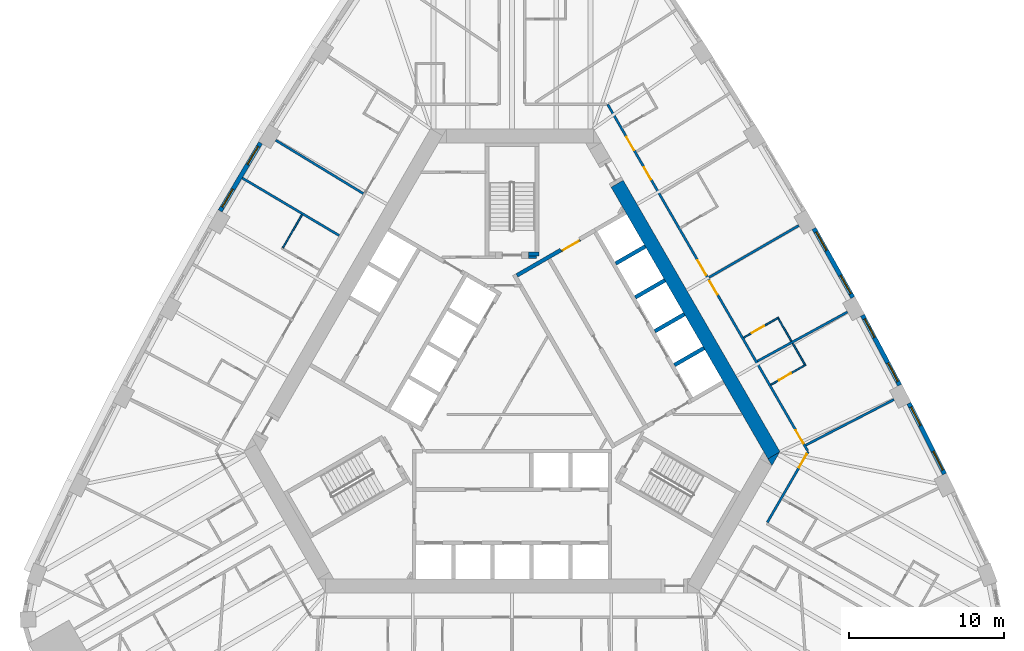
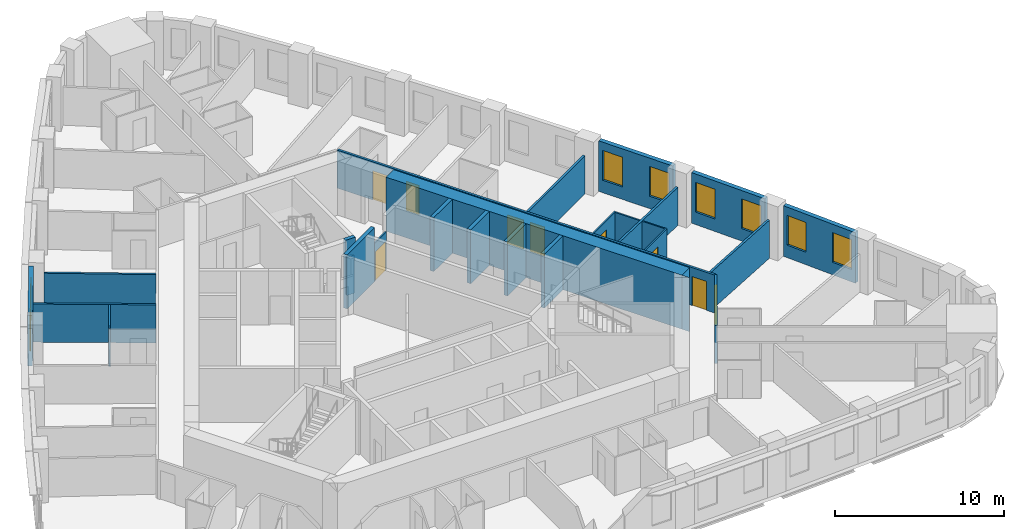
# One storey, part 9 of 13: 26 walls, 9 doors, 8 windows, 17 openings.
"""IFC4 building model written with IfcOpenShell, lengths in metres."""

from ifc_helpers import new_model, si_unit, direction, frame, frame_2d, origin, place, context, subcontext, project, spatial, polyline, rectangle, outline, extrude, material, layer, layer_set, type_object, element, fill, save


model = new_model("IFC4")

# Units and contexts
model_context = context("Model", 3, precision=1e-05, world=origin(), true_north=direction((0.0, 1.0)))
body_context = subcontext(model_context, "Body", "Model", "MODEL_VIEW")
ifc_project = project(units=[si_unit("LENGTHUNIT", "METRE"), si_unit("AREAUNIT", "SQUARE_METRE"), si_unit("VOLUMEUNIT", "CUBIC_METRE"), si_unit("PLANEANGLEUNIT", "RADIAN"), si_unit("MASSUNIT", "GRAM", prefix="KILO")], contexts=[model_context])

# Site, building, storey
site_placement = place(None, origin())
site = spatial("IfcSite", under=ifc_project, at=site_placement, CompositionType="ELEMENT")
building_placement = place(site_placement, origin())
building = spatial("IfcBuilding", under=site, at=building_placement, Name="Mestral Congress Tower", CompositionType="ELEMENT")
storey_placement = place(building_placement, frame((0.0, 0.0, 99.300048828125)))
storey = spatial("IfcBuildingStorey", under=building, at=storey_placement, Name="L23", CompositionType="ELEMENT", Elevation=99.300048828125)

# Wall
ifc_material_1 = material(Name="Fire-rated board partition")
ifc_layer_1 = layer(ifc_material_1, 0.14990234375)
ifc_layer_set_1 = layer_set([ifc_layer_1], Name="Fire-rated board partition")
wall_type_1 = type_object("IfcWallType", Name="Core partition 150", PredefinedType="PARTITIONING", material=ifc_layer_set_1)
wall_1_placement = place(storey_placement, frame((1.050048828125, 8.62548828125, 0.0), z_axis=(0.0, 0.0, 1.0), x_axis=(1.0, 0.0, 0.0)))
element("IfcWall", 1, at=wall_1_placement, inside=storey, type_object=wall_type_1, Name="L23 core wall", PredefinedType="PARTITIONING", context=body_context, shape_type="SweptSolid", body=[
    extrude(rectangle(XDim=0.513916015625, YDim=0.14990234375, at=frame_2d((0.2568359375, 0.0))), origin(), (0.0, 0.0, 1.0), 2.75),
])

# Wall, opening, door
ifc_layer_2 = layer(ifc_material_1, 0.090087890625)
ifc_layer_set_2 = layer_set([ifc_layer_2], Name="Fire-rated board partition")
wall_type_2 = type_object("IfcWallType", Name="Core partition 150 door-wall 90", PredefinedType="PARTITIONING", material=ifc_layer_set_2)
wall_2_placement = place(storey_placement, frame((3.182861328125, 9.02001953125, 0.0), z_axis=(0.0, 0.0, 1.0), x_axis=(0.866034573852, 0.49998411664, 0.0)))
wall_2 = element("IfcWall", 2, at=wall_2_placement, inside=storey, type_object=wall_type_2, Name="L23 door wall", PredefinedType="PARTITIONING", context=body_context, shape_type="SweptSolid", body=[
    extrude(rectangle(XDim=1.39990234375, YDim=0.090087890625, at=frame_2d((0.699951171875, 0.0))), origin(), (0.0, 0.0, 1.0), 2.75),
])
opening_1_placement = place(wall_2_placement, frame((0.10009765625, 0.0, 0.0)))
opening_1 = element("IfcOpeningElement", 3, at=opening_1_placement, cuts=wall_2, Name="Opening LB1-WL2", PredefinedType="OPENING", context=body_context, shape_type="SweptSolid", body=[
    extrude(rectangle(XDim=1.199951171875, YDim=2.10009765625, at=frame_2d((0.60009765625, 1.050048828125))), frame((0.0, 0.054931640625, 0.0), z_axis=(0.0, -1.0, 0.0), x_axis=(1.0, 0.0, 0.0)), (0.0, 0.0, 1.0), 0.110107421875),
])
ifc_material_2 = material(Name="Fire-rated steel door set", Category="steel")
door_type_1 = type_object("IfcDoorType", Name="Core door LB 1200x2100", OperationType="SINGLE_SWING_LEFT", PredefinedType="DOOR", material=ifc_material_2)
door_1_placement = place(opening_1_placement, origin())
door_1 = element("IfcDoor", 4, at=door_1_placement, inside=storey, type_object=door_type_1, Name="Door LB1-WL2", OperationType="SINGLE_SWING_LEFT", OverallHeight=2.10009765625, OverallWidth=1.199951171875, PredefinedType="DOOR", context=body_context, shape_type="SweptSolid", body=[
    extrude(rectangle(XDim=1.199951171875, YDim=2.10009765625, at=frame_2d((0.60009765625, 1.050048828125))), frame((0.0, 0.02490234375, 0.0), z_axis=(0.0, -1.0, 0.0), x_axis=(1.0, 0.0, 0.0)), (0.0, 0.0, 1.0), 0.050048828125),
])
fill(opening_1, door_1)

# Walls
ifc_material_3 = material(Name="Concrete C60/75", Category="concrete")
ifc_layer_3 = layer(ifc_material_3, 0.89990234375)
ifc_layer_set_3 = layer_set([ifc_layer_3], Name="Concrete C60/75")
wall_type_3 = type_object("IfcWallType", Name="Core wall RC 900", PredefinedType="SOLIDWALL", material=ifc_layer_set_3)
wall_3_placement = place(storey_placement, frame((6.77587890625, 13.36376953125, 0.0), z_axis=(0.0, 0.0, 1.0), x_axis=(0.500004177138, -0.8660229921, 0.0)))
element("IfcWall", 5, at=wall_3_placement, inside=storey, type_object=wall_type_3, Name="L23 core wall", PredefinedType="SOLIDWALL", context=body_context, shape_type="SweptSolid", body=[
    extrude(rectangle(XDim=20.203857421875, YDim=0.89990234375, at=frame_2d((10.10205078125, 0.0))), origin(), (0.0, 0.0, 1.0), 3.89990234375),
])
wall_4_placement = place(storey_placement, origin())
element("IfcWall", 6, at=wall_4_placement, inside=storey, type_object=wall_type_3, Name="L23 core wall", PredefinedType="SOLIDWALL", context=body_context, shape_type="SweptSolid", body=[
    extrude(outline(polyline([(16.7431640625, -4.800048828125), (16.4892578125, -4.360107421875), (17.251220703125, -3.920166015625), (16.7431640625, -4.800048828125)])), origin(), (0.0, 0.0, 1.0), 3.89990234375),
])

# Wall, openings, windows
ifc_material_4 = material(Name="Precast concrete C40/50 with limestone facing", Category="masonry")
ifc_layer_4 = layer(ifc_material_4, 0.2900390625)
ifc_layer_set_4 = layer_set([ifc_layer_4], Name="Precast concrete C40/50 with limestone facing")
wall_type_4 = type_object("IfcWallType", Name="Facade stone wall 290", PredefinedType="SOLIDWALL", material=ifc_layer_set_4)
wall_5_placement = place(storey_placement, frame((27.864013671875, -5.336181640625, 0.0), z_axis=(0.0, 0.0, 1.0), x_axis=(-0.448534297211, 0.893765620409, 0.0)))
wall_5 = element("IfcWall", 7, at=wall_5_placement, inside=storey, type_object=wall_type_4, Name="Facade wall F1-01", PredefinedType="SOLIDWALL", context=body_context, shape_type="SweptSolid", body=[
    extrude(rectangle(XDim=5.10009765625, YDim=0.2900390625, at=frame_2d((2.550048828125, 0.0))), origin(), (0.0, 0.0, 1.0), 3.64990234375),
])
opening_2_placement = place(wall_5_placement, frame((0.2724609375, 0.0, 0.89990234375)))
opening_2 = element("IfcOpeningElement", 8, at=opening_2_placement, cuts=wall_5, Name="Opening W2", PredefinedType="OPENING", context=body_context, shape_type="SweptSolid", body=[
    extrude(rectangle(XDim=1.35009765625, YDim=2.14990234375, at=frame_2d((0.675048828125, 1.074951171875))), frame((0.0, 0.155029296875, 0.0), z_axis=(0.0, -1.0, 0.0), x_axis=(1.0, 0.0, 0.0)), (0.0, 0.0, 1.0), 0.31005859375),
])
opening_3_placement = place(wall_5_placement, frame((3.477783203125, 0.0, 0.89990234375)))
opening_3 = element("IfcOpeningElement", 9, at=opening_3_placement, cuts=wall_5, Name="Opening W2", PredefinedType="OPENING", context=body_context, shape_type="SweptSolid", body=[
    extrude(rectangle(XDim=1.35009765625, YDim=2.14990234375, at=frame_2d((0.675048828125, 1.074951171875))), frame((0.0, 0.155029296875, 0.0), z_axis=(0.0, -1.0, 0.0), x_axis=(1.0, 0.0, 0.0)), (0.0, 0.0, 1.0), 0.31005859375),
])
ifc_material_5 = material(Name="Clear low-emissivity double glazing", Category="glass")
window_type = type_object("IfcWindowType", Name="Facade punched window 1350 x 2150 sill 900", PartitioningType="DOUBLE_PANEL_VERTICAL", PredefinedType="WINDOW", material=ifc_material_5)
window_1_placement = place(opening_2_placement, origin())
window_1 = element("IfcWindow", 10, at=window_1_placement, inside=storey, type_object=window_type, Name="Window F1-01a", OverallHeight=2.14990234375, OverallWidth=1.35009765625, PartitioningType="DOUBLE_PANEL_VERTICAL", PredefinedType="WINDOW", context=body_context, shape_type="SweptSolid", body=[
    extrude(rectangle(XDim=1.35009765625, YDim=2.14990234375, at=frame_2d((0.675048828125, 1.074951171875))), frame((0.0, 0.01513671875, 0.0), z_axis=(0.0, -1.0, 0.0), x_axis=(1.0, 0.0, 0.0)), (0.0, 0.0, 1.0), 0.06005859375),
])
fill(opening_2, window_1)
window_2_placement = place(opening_3_placement, origin())
window_2 = element("IfcWindow", 11, at=window_2_placement, inside=storey, type_object=window_type, Name="Window F1-01b", OverallHeight=2.14990234375, OverallWidth=1.35009765625, PartitioningType="DOUBLE_PANEL_VERTICAL", PredefinedType="WINDOW", context=body_context, shape_type="SweptSolid", body=[
    extrude(rectangle(XDim=1.35009765625, YDim=2.14990234375, at=frame_2d((0.675048828125, 1.074951171875))), frame((0.0, 0.01513671875, 0.0), z_axis=(0.0, -1.0, 0.0), x_axis=(1.0, 0.0, 0.0)), (0.0, 0.0, 1.0), 0.06005859375),
])
fill(opening_3, window_2)

wall_6_placement = place(storey_placement, frame((24.976806640625, 0.3828125, 0.0), z_axis=(0.0, 0.0, 1.0), x_axis=(-0.469323203119, 0.883026461106, 0.0)))
wall_6 = element("IfcWall", 12, at=wall_6_placement, inside=storey, type_object=wall_type_4, Name="Facade wall F1-02", PredefinedType="SOLIDWALL", context=body_context, shape_type="SweptSolid", body=[
    extrude(rectangle(XDim=5.1005859375, YDim=0.2900390625, at=frame_2d((2.55029296875, 0.0))), origin(), (0.0, 0.0, 1.0), 3.64990234375),
])
opening_4_placement = place(wall_6_placement, frame((0.272705078125, 0.0, 0.89990234375)))
opening_4 = element("IfcOpeningElement", 13, at=opening_4_placement, cuts=wall_6, Name="Opening W2", PredefinedType="OPENING", context=body_context, shape_type="SweptSolid", body=[
    extrude(rectangle(XDim=1.35009765625, YDim=2.14990234375, at=frame_2d((0.675048828125, 1.074951171875))), frame((0.0, 0.155029296875, 0.0), z_axis=(0.0, -1.0, 0.0), x_axis=(1.0, 0.0, 0.0)), (0.0, 0.0, 1.0), 0.31005859375),
])
opening_5_placement = place(wall_6_placement, frame((3.477783203125, 0.0, 0.89990234375)))
opening_5 = element("IfcOpeningElement", 14, at=opening_5_placement, cuts=wall_6, Name="Opening W2", PredefinedType="OPENING", context=body_context, shape_type="SweptSolid", body=[
    extrude(rectangle(XDim=1.35009765625, YDim=2.14990234375, at=frame_2d((0.675048828125, 1.074951171875))), frame((0.0, 0.155029296875, 0.0), z_axis=(0.0, -1.0, 0.0), x_axis=(1.0, 0.0, 0.0)), (0.0, 0.0, 1.0), 0.31005859375),
])
window_3_placement = place(opening_4_placement, origin())
window_3 = element("IfcWindow", 15, at=window_3_placement, inside=storey, type_object=window_type, Name="Window F1-02a", OverallHeight=2.14990234375, OverallWidth=1.35009765625, PartitioningType="DOUBLE_PANEL_VERTICAL", PredefinedType="WINDOW", context=body_context, shape_type="SweptSolid", body=[
    extrude(rectangle(XDim=1.35009765625, YDim=2.14990234375, at=frame_2d((0.675048828125, 1.074951171875))), frame((0.0, 0.01513671875, 0.0), z_axis=(0.0, -1.0, 0.0), x_axis=(1.0, 0.0, 0.0)), (0.0, 0.0, 1.0), 0.06005859375),
])
fill(opening_4, window_3)
window_4_placement = place(opening_5_placement, origin())
window_4 = element("IfcWindow", 16, at=window_4_placement, inside=storey, type_object=window_type, Name="Window F1-02b", OverallHeight=2.14990234375, OverallWidth=1.35009765625, PartitioningType="DOUBLE_PANEL_VERTICAL", PredefinedType="WINDOW", context=body_context, shape_type="SweptSolid", body=[
    extrude(rectangle(XDim=1.35009765625, YDim=2.14990234375, at=frame_2d((0.675048828125, 1.074951171875))), frame((0.0, 0.01513671875, 0.0), z_axis=(0.0, -1.0, 0.0), x_axis=(1.0, 0.0, 0.0)), (0.0, 0.0, 1.0), 0.06005859375),
])
fill(opening_5, window_4)

wall_7_placement = place(storey_placement, frame((21.956298828125, 6.033203125, 0.0), z_axis=(0.0, 0.0, 1.0), x_axis=(-0.48983164787, 0.87181704316, 0.0)))
wall_7 = element("IfcWall", 17, at=wall_7_placement, inside=storey, type_object=wall_type_4, Name="Facade wall F1-03", PredefinedType="SOLIDWALL", context=body_context, shape_type="SweptSolid", body=[
    extrude(rectangle(XDim=5.100341796875, YDim=0.2900390625, at=frame_2d((2.55029296875, 0.0))), origin(), (0.0, 0.0, 1.0), 3.64990234375),
])
opening_6_placement = place(wall_7_placement, frame((0.272705078125, 0.0, 0.89990234375)))
opening_6 = element("IfcOpeningElement", 18, at=opening_6_placement, cuts=wall_7, Name="Opening W2", PredefinedType="OPENING", context=body_context, shape_type="SweptSolid", body=[
    extrude(rectangle(XDim=1.35009765625, YDim=2.14990234375, at=frame_2d((0.675048828125, 1.074951171875))), frame((0.0, 0.155029296875, 0.0), z_axis=(0.0, -1.0, 0.0), x_axis=(1.0, 0.0, 0.0)), (0.0, 0.0, 1.0), 0.31005859375),
])
opening_7_placement = place(wall_7_placement, frame((3.477783203125, 0.0, 0.89990234375)))
opening_7 = element("IfcOpeningElement", 19, at=opening_7_placement, cuts=wall_7, Name="Opening W2", PredefinedType="OPENING", context=body_context, shape_type="SweptSolid", body=[
    extrude(rectangle(XDim=1.35009765625, YDim=2.14990234375, at=frame_2d((0.675048828125, 1.074951171875))), frame((0.0, 0.155029296875, 0.0), z_axis=(0.0, -1.0, 0.0), x_axis=(1.0, 0.0, 0.0)), (0.0, 0.0, 1.0), 0.31005859375),
])
window_5_placement = place(opening_6_placement, origin())
window_5 = element("IfcWindow", 20, at=window_5_placement, inside=storey, type_object=window_type, Name="Window F1-03a", OverallHeight=2.14990234375, OverallWidth=1.35009765625, PartitioningType="DOUBLE_PANEL_VERTICAL", PredefinedType="WINDOW", context=body_context, shape_type="SweptSolid", body=[
    extrude(rectangle(XDim=1.35009765625, YDim=2.14990234375, at=frame_2d((0.675048828125, 1.074951171875))), frame((0.0, 0.01513671875, 0.0), z_axis=(0.0, -1.0, 0.0), x_axis=(1.0, 0.0, 0.0)), (0.0, 0.0, 1.0), 0.06005859375),
])
fill(opening_6, window_5)
window_6_placement = place(opening_7_placement, origin())
window_6 = element("IfcWindow", 21, at=window_6_placement, inside=storey, type_object=window_type, Name="Window F1-03b", OverallHeight=2.14990234375, OverallWidth=1.35009765625, PartitioningType="DOUBLE_PANEL_VERTICAL", PredefinedType="WINDOW", context=body_context, shape_type="SweptSolid", body=[
    extrude(rectangle(XDim=1.35009765625, YDim=2.14990234375, at=frame_2d((0.675048828125, 1.074951171875))), frame((0.0, 0.01513671875, 0.0), z_axis=(0.0, -1.0, 0.0), x_axis=(1.0, 0.0, 0.0)), (0.0, 0.0, 1.0), 0.06005859375),
])
fill(opening_7, window_6)

wall_8_placement = place(storey_placement, frame((-16.203125, 15.998291015625, 0.0), z_axis=(0.0, 0.0, 1.0), x_axis=(-0.510054281659, -0.860142214847, 0.0)))
wall_8 = element("IfcWall", 22, at=wall_8_placement, inside=storey, type_object=wall_type_4, Name="Facade wall F2-03", PredefinedType="SOLIDWALL", context=body_context, shape_type="SweptSolid", body=[
    extrude(rectangle(XDim=5.1005859375, YDim=0.2900390625, at=frame_2d((2.55029296875, 0.0))), origin(), (0.0, 0.0, 1.0), 3.64990234375),
])
opening_8_placement = place(wall_8_placement, frame((0.272705078125, 0.0, 0.89990234375)))
opening_8 = element("IfcOpeningElement", 23, at=opening_8_placement, cuts=wall_8, Name="Opening W2", PredefinedType="OPENING", context=body_context, shape_type="SweptSolid", body=[
    extrude(rectangle(XDim=1.35009765625, YDim=2.14990234375, at=frame_2d((0.675048828125, 1.074951171875))), frame((0.0, 0.155029296875, 0.0), z_axis=(0.0, -1.0, 0.0), x_axis=(1.0, 0.0, 0.0)), (0.0, 0.0, 1.0), 0.31005859375),
])
opening_9_placement = place(wall_8_placement, frame((3.477783203125, 0.0, 0.89990234375)))
opening_9 = element("IfcOpeningElement", 24, at=opening_9_placement, cuts=wall_8, Name="Opening W2", PredefinedType="OPENING", context=body_context, shape_type="SweptSolid", body=[
    extrude(rectangle(XDim=1.35009765625, YDim=2.14990234375, at=frame_2d((0.675048828125, 1.074951171875))), frame((0.0, 0.155029296875, 0.0), z_axis=(0.0, -1.0, 0.0), x_axis=(1.0, 0.0, 0.0)), (0.0, 0.0, 1.0), 0.31005859375),
])
window_7_placement = place(opening_8_placement, origin())
window_7 = element("IfcWindow", 25, at=window_7_placement, inside=storey, type_object=window_type, Name="Window F2-03a", OverallHeight=2.14990234375, OverallWidth=1.35009765625, PartitioningType="DOUBLE_PANEL_VERTICAL", PredefinedType="WINDOW", context=body_context, shape_type="SweptSolid", body=[
    extrude(rectangle(XDim=1.35009765625, YDim=2.14990234375, at=frame_2d((0.675048828125, 1.074951171875))), frame((0.0, 0.01513671875, 0.0), z_axis=(0.0, -1.0, 0.0), x_axis=(1.0, 0.0, 0.0)), (0.0, 0.0, 1.0), 0.06005859375),
])
fill(opening_8, window_7)
window_8_placement = place(opening_9_placement, origin())
window_8 = element("IfcWindow", 26, at=window_8_placement, inside=storey, type_object=window_type, Name="Window F2-03b", OverallHeight=2.14990234375, OverallWidth=1.35009765625, PartitioningType="DOUBLE_PANEL_VERTICAL", PredefinedType="WINDOW", context=body_context, shape_type="SweptSolid", body=[
    extrude(rectangle(XDim=1.35009765625, YDim=2.14990234375, at=frame_2d((0.675048828125, 1.074951171875))), frame((0.0, 0.01513671875, 0.0), z_axis=(0.0, -1.0, 0.0), x_axis=(1.0, 0.0, 0.0)), (0.0, 0.0, 1.0), 0.06005859375),
])
fill(opening_9, window_8)

# Wall, opening, door
ifc_material_6 = material(Name="Gypsum board partition on metal studs with mineral wool", Category="composite")
ifc_layer_5 = layer(ifc_material_6, 0.10009765625)
ifc_layer_set_5 = layer_set([ifc_layer_5], Name="Gypsum board partition on metal studs with mineral wool")
wall_type_5 = type_object("IfcWallType", Name="Hotel partition wall 100", PredefinedType="PARTITIONING", material=ifc_layer_set_5)
wall_9_placement = place(storey_placement, frame((16.681396484375, 0.406982421875, 0.0), z_axis=(0.0, 0.0, 1.0), x_axis=(0.866021400173, 0.500006934395, 0.0)))
wall_9 = element("IfcWall", 27, at=wall_9_placement, inside=storey, type_object=wall_type_5, Name="L23-h-pod11a", PredefinedType="PARTITIONING", context=body_context, shape_type="SweptSolid", body=[
    extrude(rectangle(XDim=2.60009765625, YDim=0.10009765625, at=frame_2d((1.300048828125, 0.0))), origin(), (0.0, 0.0, 1.0), 2.75),
])
opening_10_placement = place(wall_9_placement, frame((0.60009765625, 0.0, 0.0)))
opening_10 = element("IfcOpeningElement", 28, at=opening_10_placement, cuts=wall_9, Name="Opening H07-022", PredefinedType="OPENING", context=body_context, shape_type="SweptSolid", body=[
    extrude(rectangle(XDim=0.89990234375, YDim=2.10009765625, at=frame_2d((0.449951171875, 1.050048828125))), frame((0.0, 0.06005859375, 0.0), z_axis=(0.0, -1.0, 0.0), x_axis=(1.0, 0.0, 0.0)), (0.0, 0.0, 1.0), 0.1201171875),
])
ifc_material_7 = material(Name="Timber veneer door leaf in timber frame", Category="wood")
door_type_2 = type_object("IfcDoorType", Name="Bathroom door 900", OperationType="SINGLE_SWING_LEFT", PredefinedType="DOOR", material=ifc_material_7)
door_2_placement = place(opening_10_placement, origin())
door_2 = element("IfcDoor", 29, at=door_2_placement, inside=storey, type_object=door_type_2, Name="L23-h-d022", OperationType="SINGLE_SWING_LEFT", OverallHeight=2.10009765625, OverallWidth=0.89990234375, PredefinedType="DOOR", context=body_context, shape_type="SweptSolid", body=[
    extrude(rectangle(XDim=0.89990234375, YDim=2.10009765625, at=frame_2d((0.449951171875, 1.050048828125))), frame((0.0, 0.02490234375, 0.0), z_axis=(0.0, -1.0, 0.0), x_axis=(1.0, 0.0, 0.0)), (0.0, 0.0, 1.0), 0.050048828125),
])
fill(opening_10, door_2)

# Wall
wall_10_placement = place(storey_placement, frame((18.85986328125, 1.73388671875, 0.0), z_axis=(0.0, 0.0, 1.0), x_axis=(-0.500017819788, 0.86601511528, 0.0)))
element("IfcWall", 30, at=wall_10_placement, inside=storey, type_object=wall_type_5, Name="L23-h-pod11b", PredefinedType="PARTITIONING", context=body_context, shape_type="SweptSolid", body=[
    extrude(rectangle(XDim=1.55029296875, YDim=0.10009765625, at=frame_2d((0.775146484375, 0.0))), origin(), (0.0, 0.0, 1.0), 2.75),
])

# Wall, opening, door
wall_11_placement = place(storey_placement, frame((17.17919921875, 4.7451171875, 0.0), z_axis=(0.0, 0.0, 1.0), x_axis=(-0.866021400173, -0.500006934395, 0.0)))
wall_11 = element("IfcWall", 31, at=wall_11_placement, inside=storey, type_object=wall_type_5, Name="L23-h-pod12a", PredefinedType="PARTITIONING", context=body_context, shape_type="SweptSolid", body=[
    extrude(rectangle(XDim=2.60009765625, YDim=0.10009765625, at=frame_2d((1.300048828125, 0.0))), origin(), (0.0, 0.0, 1.0), 2.75),
])
opening_11_placement = place(wall_11_placement, frame((1.10009765625, 0.0, 0.0)))
opening_11 = element("IfcOpeningElement", 32, at=opening_11_placement, cuts=wall_11, Name="Opening H07-024", PredefinedType="OPENING", context=body_context, shape_type="SweptSolid", body=[
    extrude(rectangle(XDim=0.89990234375, YDim=2.10009765625, at=frame_2d((0.449951171875, 1.050048828125))), frame((0.0, 0.06005859375, 0.0), z_axis=(0.0, -1.0, 0.0), x_axis=(1.0, 0.0, 0.0)), (0.0, 0.0, 1.0), 0.1201171875),
])
door_3_placement = place(opening_11_placement, origin())
door_3 = element("IfcDoor", 33, at=door_3_placement, inside=storey, type_object=door_type_2, Name="L23-h-d024", OperationType="SINGLE_SWING_RIGHT", OverallHeight=2.10009765625, OverallWidth=0.89990234375, PredefinedType="DOOR", context=body_context, shape_type="SweptSolid", body=[
    extrude(rectangle(XDim=0.89990234375, YDim=2.10009765625, at=frame_2d((0.449951171875, 1.050048828125))), frame((0.0, 0.02490234375, 0.0), z_axis=(0.0, -1.0, 0.0), x_axis=(1.0, 0.0, 0.0)), (0.0, 0.0, 1.0), 0.050048828125),
])
fill(opening_11, door_3)

# Walls
wall_12_placement = place(storey_placement, frame((17.160888671875, 4.6767578125, 0.0), z_axis=(0.0, 0.0, 1.0), x_axis=(0.499890179513, -0.866088799389, 0.0)))
element("IfcWall", 34, at=wall_12_placement, inside=storey, type_object=wall_type_5, Name="L23-h-pod12b", PredefinedType="PARTITIONING", context=body_context, shape_type="SweptSolid", body=[
    extrude(rectangle(XDim=1.68017578125, YDim=0.10009765625, at=frame_2d((0.840087890625, 0.0))), origin(), (0.0, 0.0, 1.0), 2.75),
])
wall_13_placement = place(storey_placement, frame((-14.761962890625, 9.2314453125, 0.0), z_axis=(0.0, 0.0, 1.0), x_axis=(0.500003092839, 0.866023618125, 0.0)))
element("IfcWall", 35, at=wall_13_placement, inside=storey, type_object=wall_type_5, Name="L23-h-pod22b", PredefinedType="PARTITIONING", context=body_context, shape_type="SweptSolid", body=[
    extrude(rectangle(XDim=2.4599609375, YDim=0.10009765625, at=frame_2d((1.22998046875, 0.0))), origin(), (0.0, 0.0, 1.0), 2.75),
])

# Wall, opening, door
ifc_layer_6 = layer(ifc_material_6, 0.14990234375)
ifc_layer_set_6 = layer_set([ifc_layer_6], Name="Gypsum board partition on metal studs with mineral wool")
wall_type_6 = type_object("IfcWallType", Name="Hotel partition wall 150", PredefinedType="PARTITIONING", material=ifc_layer_set_6)
wall_14_placement = place(storey_placement, frame((19.081298828125, -3.89990234375, 0.0), z_axis=(0.0, 0.0, 1.0), x_axis=(-0.499974327079, -0.866040225545, 0.0)))
wall_14 = element("IfcWall", 36, at=wall_14_placement, inside=storey, type_object=wall_type_6, Name="L23-h-cw02", PredefinedType="PARTITIONING", context=body_context, shape_type="SweptSolid", body=[
    extrude(rectangle(XDim=5.258056640625, YDim=0.14990234375, at=frame_2d((2.62890625, 0.0))), origin(), (0.0, 0.0, 1.0), 2.75),
])
opening_12_placement = place(wall_14_placement, frame((0.179931640625, 0.0, 0.0)))
opening_12 = element("IfcOpeningElement", 37, at=opening_12_placement, cuts=wall_14, Name="Opening H07-019", PredefinedType="OPENING", context=body_context, shape_type="SweptSolid", body=[
    extrude(rectangle(XDim=1.0, YDim=2.10009765625, at=frame_2d((0.5, 1.050048828125))), frame((0.0, 0.0849609375, 0.0), z_axis=(0.0, -1.0, 0.0), x_axis=(1.0, 0.0, 0.0)), (0.0, 0.0, 1.0), 0.169921875),
])
ifc_material_8 = material(Name="Timber veneer door leaf in metal frame", Category="wood")
door_type_3 = type_object("IfcDoorType", Name="Guest room entrance door 1000", OperationType="SINGLE_SWING_LEFT", PredefinedType="DOOR", material=ifc_material_8)
door_4_placement = place(opening_12_placement, origin())
door_4 = element("IfcDoor", 38, at=door_4_placement, inside=storey, type_object=door_type_3, Name="L23-h-d019", OperationType="SINGLE_SWING_LEFT", OverallHeight=2.10009765625, OverallWidth=1.0, PredefinedType="DOOR", context=body_context, shape_type="SweptSolid", body=[
    extrude(rectangle(XDim=1.0, YDim=2.10009765625, at=frame_2d((0.5, 1.050048828125))), frame((0.0, 0.02490234375, 0.0), z_axis=(0.0, -1.0, 0.0), x_axis=(1.0, 0.0, 0.0)), (0.0, 0.0, 1.0), 0.050048828125),
])
fill(opening_12, door_4)

# Wall, openings, doors
wall_15_placement = place(storey_placement, frame((6.1630859375, 18.47509765625, 0.0), z_axis=(0.0, 0.0, 1.0), x_axis=(0.500001317485, -0.866024643133, 0.0)))
wall_15 = element("IfcWall", 39, at=wall_15_placement, inside=storey, type_object=wall_type_6, Name="L23-h-cw03", PredefinedType="PARTITIONING", context=body_context, shape_type="SweptSolid", body=[
    extrude(rectangle(XDim=25.7666015625, YDim=0.14990234375, at=frame_2d((12.88330078125, 0.0))), origin(), (0.0, 0.0, 1.0), 2.75),
])
opening_13_placement = place(wall_15_placement, frame((24.24072265625, 0.0, 0.0)))
opening_13 = element("IfcOpeningElement", 40, at=opening_13_placement, cuts=wall_15, Name="Opening H07-021", PredefinedType="OPENING", context=body_context, shape_type="SweptSolid", body=[
    extrude(rectangle(XDim=1.0, YDim=2.10009765625, at=frame_2d((0.5, 1.050048828125))), frame((0.0, 0.0849609375, 0.0), z_axis=(0.0, -1.0, 0.0), x_axis=(1.0, 0.0, 0.0)), (0.0, 0.0, 1.0), 0.169921875),
])
opening_14_placement = place(wall_15_placement, frame((13.143798828125, 0.0, 0.0)))
opening_14 = element("IfcOpeningElement", 41, at=opening_14_placement, cuts=wall_15, Name="Opening H07-023", PredefinedType="OPENING", context=body_context, shape_type="SweptSolid", body=[
    extrude(rectangle(XDim=1.0, YDim=2.10009765625, at=frame_2d((0.5, 1.050048828125))), frame((0.0, 0.0849609375, 0.0), z_axis=(0.0, -1.0, 0.0), x_axis=(1.0, 0.0, 0.0)), (0.0, 0.0, 1.0), 0.169921875),
])
opening_15_placement = place(wall_15_placement, frame((11.59228515625, 0.0, 0.0)))
opening_15 = element("IfcOpeningElement", 42, at=opening_15_placement, cuts=wall_15, Name="Opening H07-025", PredefinedType="OPENING", context=body_context, shape_type="SweptSolid", body=[
    extrude(rectangle(XDim=1.10009765625, YDim=2.10009765625, at=frame_2d((0.550048828125, 1.050048828125))), frame((0.0, 0.0849609375, 0.0), z_axis=(0.0, -1.0, 0.0), x_axis=(1.0, 0.0, 0.0)), (0.0, 0.0, 1.0), 0.169921875),
])
opening_16_placement = place(wall_15_placement, frame((4.674072265625, 0.0, 0.0)))
opening_16 = element("IfcOpeningElement", 43, at=opening_16_placement, cuts=wall_15, Name="Opening H07-027", PredefinedType="OPENING", context=body_context, shape_type="SweptSolid", body=[
    extrude(rectangle(XDim=0.89990234375, YDim=2.10009765625, at=frame_2d((0.449951171875, 1.050048828125))), frame((0.0, 0.0849609375, 0.0), z_axis=(0.0, -1.0, 0.0), x_axis=(1.0, 0.0, 0.0)), (0.0, 0.0, 1.0), 0.169921875),
])
opening_17_placement = place(wall_15_placement, frame((2.410888671875, 0.0, 0.0)))
opening_17 = element("IfcOpeningElement", 44, at=opening_17_placement, cuts=wall_15, Name="Opening H07-028", PredefinedType="OPENING", context=body_context, shape_type="SweptSolid", body=[
    extrude(rectangle(XDim=1.0, YDim=2.10009765625, at=frame_2d((0.5, 1.050048828125))), frame((0.0, 0.0849609375, 0.0), z_axis=(0.0, -1.0, 0.0), x_axis=(1.0, 0.0, 0.0)), (0.0, 0.0, 1.0), 0.169921875),
])
door_type_4 = type_object("IfcDoorType", Name="Accessible room entrance door 1100", OperationType="SINGLE_SWING_LEFT", PredefinedType="DOOR", material=ifc_material_8)
door_5_placement = place(opening_15_placement, origin())
door_5 = element("IfcDoor", 45, at=door_5_placement, inside=storey, type_object=door_type_4, Name="L23-h-d025", OperationType="SINGLE_SWING_RIGHT", OverallHeight=2.10009765625, OverallWidth=1.10009765625, PredefinedType="DOOR", context=body_context, shape_type="SweptSolid", body=[
    extrude(rectangle(XDim=1.10009765625, YDim=2.10009765625, at=frame_2d((0.550048828125, 1.050048828125))), frame((0.0, 0.02490234375, 0.0), z_axis=(0.0, -1.0, 0.0), x_axis=(1.0, 0.0, 0.0)), (0.0, 0.0, 1.0), 0.050048828125),
])
fill(opening_15, door_5)
door_6_placement = place(opening_13_placement, origin())
door_6 = element("IfcDoor", 46, at=door_6_placement, inside=storey, type_object=door_type_3, Name="L23-h-d021", OperationType="SINGLE_SWING_RIGHT", OverallHeight=2.10009765625, OverallWidth=1.0, PredefinedType="DOOR", context=body_context, shape_type="SweptSolid", body=[
    extrude(rectangle(XDim=1.0, YDim=2.10009765625, at=frame_2d((0.5, 1.050048828125))), frame((0.0, 0.02490234375, 0.0), z_axis=(0.0, -1.0, 0.0), x_axis=(1.0, 0.0, 0.0)), (0.0, 0.0, 1.0), 0.050048828125),
])
fill(opening_13, door_6)
door_7_placement = place(opening_14_placement, origin())
door_7 = element("IfcDoor", 47, at=door_7_placement, inside=storey, type_object=door_type_3, Name="L23-h-d023", OperationType="SINGLE_SWING_LEFT", OverallHeight=2.10009765625, OverallWidth=1.0, PredefinedType="DOOR", context=body_context, shape_type="SweptSolid", body=[
    extrude(rectangle(XDim=1.0, YDim=2.10009765625, at=frame_2d((0.5, 1.050048828125))), frame((0.0, 0.02490234375, 0.0), z_axis=(0.0, -1.0, 0.0), x_axis=(1.0, 0.0, 0.0)), (0.0, 0.0, 1.0), 0.050048828125),
])
fill(opening_14, door_7)
door_8_placement = place(opening_17_placement, origin())
door_8 = element("IfcDoor", 48, at=door_8_placement, inside=storey, type_object=door_type_3, Name="L23-h-d028", OperationType="SINGLE_SWING_RIGHT", OverallHeight=2.10009765625, OverallWidth=1.0, PredefinedType="DOOR", context=body_context, shape_type="SweptSolid", body=[
    extrude(rectangle(XDim=1.0, YDim=2.10009765625, at=frame_2d((0.5, 1.050048828125))), frame((0.0, 0.02490234375, 0.0), z_axis=(0.0, -1.0, 0.0), x_axis=(1.0, 0.0, 0.0)), (0.0, 0.0, 1.0), 0.050048828125),
])
fill(opening_17, door_8)
door_type_5 = type_object("IfcDoorType", Name="Service room door 900", OperationType="SINGLE_SWING_LEFT", PredefinedType="DOOR", material=ifc_material_8)
door_9_placement = place(opening_16_placement, origin())
door_9 = element("IfcDoor", 49, at=door_9_placement, inside=storey, type_object=door_type_5, Name="L23-h-d027", OperationType="SINGLE_SWING_RIGHT", OverallHeight=2.10009765625, OverallWidth=0.89990234375, PredefinedType="DOOR", context=body_context, shape_type="SweptSolid", body=[
    extrude(rectangle(XDim=0.89990234375, YDim=2.10009765625, at=frame_2d((0.449951171875, 1.050048828125))), frame((0.0, 0.02490234375, 0.0), z_axis=(0.0, -1.0, 0.0), x_axis=(1.0, 0.0, 0.0)), (0.0, 0.0, 1.0), 0.050048828125),
])
fill(opening_16, door_9)

# Walls
wall_16_placement = place(storey_placement, frame((-17.379150390625, 13.730712890625, 0.0), z_axis=(0.0, 0.0, 1.0), x_axis=(0.860132461691, -0.510070728768, 0.0)))
element("IfcWall", 50, at=wall_16_placement, inside=storey, type_object=wall_type_6, Name="L23-h-pw09", PredefinedType="PARTITIONING", context=body_context, shape_type="SweptSolid", body=[
    extrude(rectangle(XDim=7.256591796875, YDim=0.14990234375, at=frame_2d((3.62841796875, 0.0))), origin(), (0.0, 0.0, 1.0), 2.75),
])
wall_17_placement = place(storey_placement, frame((-15.22509765625, 16.16748046875, 0.0), z_axis=(0.0, 0.0, 1.0), x_axis=(0.854088713274, -0.520127359266, 0.0)))
element("IfcWall", 51, at=wall_17_placement, inside=storey, type_object=wall_type_6, Name="L23-h-pw10", PredefinedType="PARTITIONING", context=body_context, shape_type="SweptSolid", body=[
    extrude(rectangle(XDim=6.61083984375, YDim=0.14990234375, at=frame_2d((3.305419921875, 0.0))), origin(), (0.0, 0.0, 1.0), 2.75),
])
wall_18_placement = place(storey_placement, frame((18.484130859375, 10.671875, 0.0), z_axis=(0.0, 0.0, 1.0), x_axis=(-0.866019162053, -0.50001081084, 0.0)))
element("IfcWall", 52, at=wall_18_placement, inside=storey, type_object=wall_type_6, Name="L23-h-pw23", PredefinedType="PARTITIONING", context=body_context, shape_type="SweptSolid", body=[
    extrude(rectangle(XDim=6.693603515625, YDim=0.14990234375, at=frame_2d((3.3466796875, 0.0))), origin(), (0.0, 0.0, 1.0), 2.75),
])
wall_19_placement = place(storey_placement, frame((21.614013671875, 5.1015625, 0.0), z_axis=(0.0, 0.0, 1.0), x_axis=(-0.877484555087, -0.479604895287, 0.0)))
element("IfcWall", 53, at=wall_19_placement, inside=storey, type_object=wall_type_6, Name="L23-h-pw24", PredefinedType="PARTITIONING", context=body_context, shape_type="SweptSolid", body=[
    extrude(rectangle(XDim=6.611083984375, YDim=0.14990234375, at=frame_2d((3.3056640625, 0.0))), origin(), (0.0, 0.0, 1.0), 2.75),
])
wall_20_placement = place(storey_placement, frame((24.612548828125, -0.54052734375, 0.0), z_axis=(0.0, 0.0, 1.0), x_axis=(-0.888459912519, -0.458954228487, 0.0)))
element("IfcWall", 54, at=wall_20_placement, inside=storey, type_object=wall_type_6, Name="L23-h-pw26", PredefinedType="PARTITIONING", context=body_context, shape_type="SweptSolid", body=[
    extrude(rectangle(XDim=6.391845703125, YDim=0.14990234375, at=frame_2d((3.19580078125, 0.0))), origin(), (0.0, 0.0, 1.0), 2.75),
])
ifc_layer_7 = layer(ifc_material_3, 0.25)
ifc_layer_set_7 = layer_set([ifc_layer_7], Name="Concrete C60/75")
wall_type_7 = type_object("IfcWallType", Name="Shaft wall RC 250", PredefinedType="SOLIDWALL", material=ifc_layer_set_7)
wall_21_placement = place(storey_placement, frame((10.463623046875, 1.676513671875, 0.0), z_axis=(0.0, 0.0, 1.0), x_axis=(0.86605622881, 0.499946605688, 0.0)))
element("IfcWall", 55, at=wall_21_placement, inside=storey, type_object=wall_type_7, Name="L23 core wall", PredefinedType="SOLIDWALL", context=body_context, shape_type="SweptSolid", body=[
    extrude(rectangle(XDim=2.199951171875, YDim=0.25, at=frame_2d((1.10009765625, 0.0))), origin(), (0.0, 0.0, 1.0), 3.89990234375),
])
wall_22_placement = place(storey_placement, frame((0.314208984375, 7.455810546875, 0.0), z_axis=(0.0, 0.0, 1.0), x_axis=(0.866013897511, 0.50001992892, 0.0)))
element("IfcWall", 56, at=wall_22_placement, inside=storey, type_object=wall_type_7, Name="L23 core wall", PredefinedType="SOLIDWALL", context=body_context, shape_type="SweptSolid", body=[
    extrude(rectangle(XDim=3.267822265625, YDim=0.25, at=frame_2d((1.6337890625, 0.0))), origin(), (0.0, 0.0, 1.0), 3.89990234375),
])
for number, where, z_axis, x_axis, name in (
    (57, (6.68359375, 8.2236328125, 0.0), (0.0, 0.0, 1.0), (0.86605622881, 0.499946605688, 0.0), "L23 core wall"),
    (58, (7.943603515625, 6.041259765625, 0.0), (0.0, 0.0, 1.0), (0.86605622881, 0.499946605688, 0.0), "L23 core wall"),
    (59, (9.20361328125, 3.85888671875, 0.0), (0.0, 0.0, 1.0), (0.86605622881, 0.499946605688, 0.0), "L23 core wall"),
):
    element("IfcWall", number, at=place(storey_placement, frame(where, z_axis=z_axis, x_axis=x_axis)), inside=storey, type_object=wall_type_7, Name=name, PredefinedType="SOLIDWALL", context=body_context, shape_type="SweptSolid", body=[
        extrude(rectangle(XDim=2.199951171875, YDim=0.25, at=frame_2d((1.10009765625, 0.0))), origin(), (0.0, 0.0, 1.0), 3.89990234375),
    ])
ifc_layer_8 = layer(ifc_material_3, 0.25)
ifc_layer_set_8 = layer_set([ifc_layer_8], Name="Concrete C60/75")
wall_type_8 = type_object("IfcWallType", Name="Stair wall RC 250", PredefinedType="SOLIDWALL", material=ifc_layer_set_8)
wall_23_placement = place(storey_placement, frame((1.050048828125, 8.824951171875, 0.0), z_axis=(0.0, 0.0, 1.0), x_axis=(1.0, 0.0, 0.0)))
element("IfcWall", 60, at=wall_23_placement, inside=storey, type_object=wall_type_8, Name="L23 core wall", PredefinedType="SOLIDWALL", context=body_context, shape_type="SweptSolid", body=[
    extrude(rectangle(XDim=0.675048828125, YDim=0.25, at=frame_2d((0.33740234375, 0.0))), origin(), (0.0, 0.0, 1.0), 3.89990234375),
])

save(model, "model.ifc")
